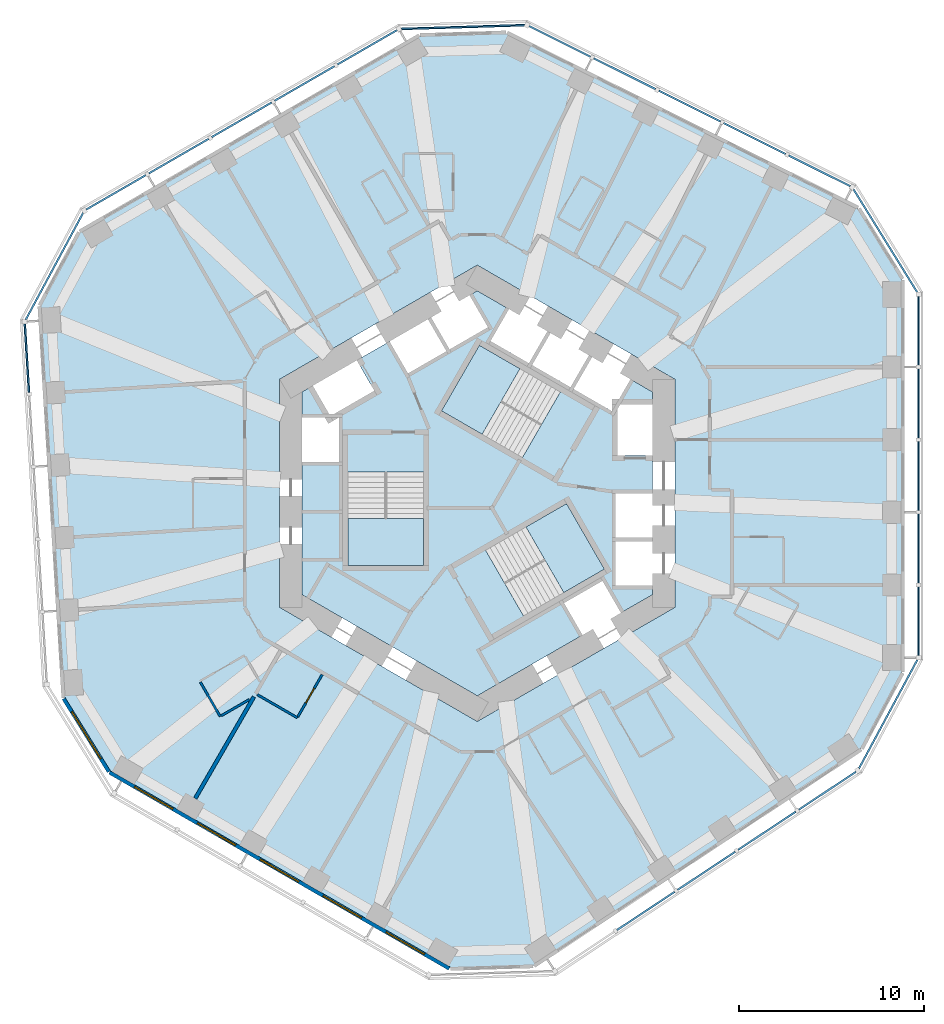
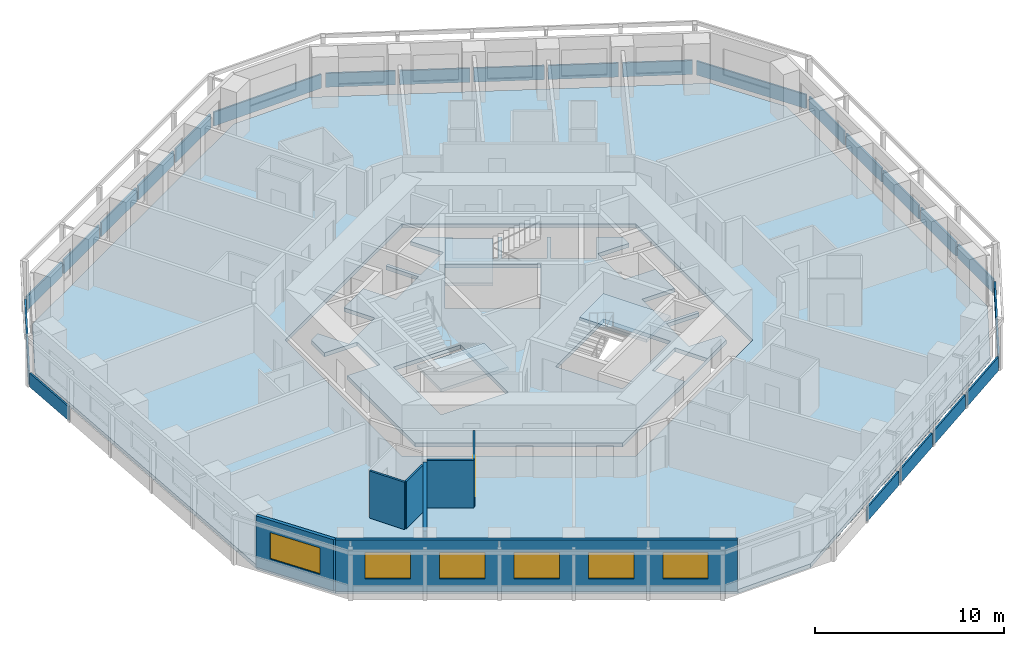
# One storey, part 3 of 12: 24 plates, 7 walls, 6 windows, 5 slabs, 1 door, 7 openings, 12 elements without a shape of their own.
"""IFC4 building model written with IfcOpenShell, lengths in metres."""

from ifc_helpers import new_model, si_unit, direction, frame, frame_2d, origin, origin_2d, place, context, subcontext, project, spatial, polyline, rectangle, outline, extrude, material, layer, layer_set, type_object, element, fill, aggregate, save


model = new_model("IFC4")

# Units and contexts
model_context = context("Model", 3, precision=1e-05, world=origin(), true_north=direction((0.0, 1.0)))
body_context = subcontext(model_context, "Body", "Model", "MODEL_VIEW")
ifc_project = project(units=[si_unit("LENGTHUNIT", "METRE"), si_unit("AREAUNIT", "SQUARE_METRE"), si_unit("VOLUMEUNIT", "CUBIC_METRE"), si_unit("PLANEANGLEUNIT", "RADIAN"), si_unit("MASSUNIT", "GRAM", prefix="KILO")], contexts=[model_context])

# Site, building, storey
site_placement = place(None, origin())
site = spatial("IfcSite", under=ifc_project, at=site_placement, CompositionType="ELEMENT")
building_placement = place(site_placement, origin())
building = spatial("IfcBuilding", under=site, at=building_placement, Name="Vanh Sen Convention Tower", CompositionType="ELEMENT")
storey_placement = place(building_placement, frame((0.0, 0.0, 70.39990234375)))
storey = spatial("IfcBuildingStorey", under=building, at=storey_placement, Name="L15", CompositionType="ELEMENT", Elevation=70.39990234375)

# Slabs
ifc_material_1 = material(Name="Concrete C40/50", Category="concrete")
ifc_layer_1 = layer(ifc_material_1, 0.25)
ifc_layer_set_1 = layer_set([ifc_layer_1], Name="Concrete C40/50")
slab_type_1 = type_object("IfcSlabType", Name="Core slab 250", PredefinedType="FLOOR", material=ifc_layer_set_1)
slab_1_placement = place(storey_placement, frame((0.0, 0.0, -0.25)))
element("IfcSlab", 1, at=slab_1_placement, inside=storey, type_object=slab_type_1, Name="Core slab L15", PredefinedType="FLOOR", context=body_context, shape_type="SweptSolid", body=[
    extrude(outline(polyline([(9.5, 5.48486328125), (9.5, 4.800048828125), (7.60009765625, 4.800048828125), (7.60009765625, 2.050048828125), (9.5, 2.050048828125), (9.5, 0.0), (7.5, 0.0), (7.5, -2.39990234375), (9.5, -2.39990234375), (9.5, -2.60009765625), (7.5, -2.60009765625), (7.5, -5.0), (9.5, -5.0), (9.5, -5.48486328125), (0.0, -10.9697265625), (-9.5, -5.48486328125), (-9.5, 1.699951171875), (-7.5, 1.699951171875), (-7.5, 4.10009765625), (-9.5, 4.10009765625), (-9.5, 5.48486328125), (-8.906982421875, 5.8271484375), (-7.956787109375, 4.181884765625), (-5.575439453125, 5.556884765625), (-6.525390625, 7.2021484375), (-4.75, 8.227294921875), (-3.75, 6.4951171875), (-1.67138671875, 7.6953125), (-2.67138671875, 9.42724609375), (-2.498291015625, 9.527099609375), (-1.498291015625, 7.795166015625), (0.580078125, 8.9951171875), (-0.419921875, 10.727294921875), (0.0, 10.9697265625), (1.718994140625, 9.977294921875), (0.718994140625, 8.2451171875), (2.79736328125, 7.045166015625), (3.79736328125, 8.777099609375), (3.970703125, 8.67724609375), (2.970703125, 6.9453125), (5.049072265625, 5.7451171875), (6.049072265625, 7.477294921875), (6.22216796875, 7.377197265625), (5.22216796875, 5.645263671875), (7.30078125, 4.4453125), (8.30078125, 6.17724609375), (9.5, 5.48486328125)]), holes=[polyline([(-7.0, 3.14990234375), (-7.0, -3.909912109375), (-2.89990234375, -3.909912109375), (-2.89990234375, 3.14990234375), (-2.89990234375, 1.1494140625), (-7.0, 1.1494140625), (-7.0, 3.14990234375)]), polyline([(4.495361328125, 5.487548828125), (6.22802734375, 4.4873046875), (0.11376953125, 8.01708984375), (-1.936279296875, 4.466552734375), (2.4453125, 1.936767578125), (4.495361328125, 5.487548828125)]), polyline([(7.781005859375, -6.477294921875), (6.781005859375, -4.7451171875), (4.70263671875, -5.9453125), (5.70263671875, -7.67724609375), (7.781005859375, -6.477294921875)]), polyline([(0.45458984375, -3.086181640625), (2.504638671875, -6.63671875), (6.88623046875, -4.107177734375), (4.836181640625, -0.556396484375), (-1.278076171875, -4.08642578125), (0.45458984375, -3.086181640625)])]), origin(), (0.0, 0.0, 1.0), 0.25),
])
ifc_layer_2 = layer(ifc_material_1, 0.25)
ifc_layer_set_2 = layer_set([ifc_layer_2], Name="Concrete C40/50")
slab_type_2 = type_object("IfcSlabType", Name="Floor slab 250 REI 120", PredefinedType="FLOOR", material=ifc_layer_set_2)
slab_2_placement = place(storey_placement, frame((0.0, 0.0, -0.25)))
element("IfcSlab", 2, at=slab_2_placement, inside=storey, type_object=slab_type_2, Name="Floor slab L15 tower", PredefinedType="FLOOR", context=body_context, shape_type="SweptSolid", body=[
    extrude(outline(polyline([(23.0, -9.69921875), (23.0, 11.57373046875), (20.620361328125, 15.419189453125), (1.58251953125, 24.911376953125), (-3.10009765625, 24.768310546875), (-21.523193359375, 14.131591796875), (-23.663818359375, 10.14794921875), (-22.364990234375, -11.085205078125), (-19.89990234375, -15.069091796875), (-1.476806640625, -25.705322265625), (3.04345703125, -25.5673828125), (20.78271484375, -13.825927734375), (23.0, -9.69921875)]), holes=[polyline([(0.0, 12.355224609375), (-10.699951171875, 6.177490234375), (-10.699951171875, -6.177490234375), (0.0, -12.355224609375), (10.699951171875, -6.177490234375), (10.699951171875, 6.177490234375), (0.0, 12.355224609375)])]), origin(), (0.0, 0.0, 1.0), 0.25),
])

# Curtain wall, plates
ifc_material_2 = material(Name="Concrete C50/60", Category="concrete")
curtain_wall_type = type_object("IfcCurtainWallType", Name="Outer skin hotel zone", PredefinedType="NOTDEFINED", material=ifc_material_2)
curtain_wall_1_placement = place(storey_placement, origin())
curtain_wall_1 = element("IfcCurtainWall", 3, at=curtain_wall_1_placement, inside=storey, type_object=curtain_wall_type, Name="OUTER SKIN E L15", PredefinedType="NOTDEFINED")
ifc_layer_3 = layer(ifc_material_2, 0.10009765625)
ifc_layer_set_3 = layer_set([ifc_layer_3], Name="Concrete C50/60")
plate_type = type_object("IfcPlateType", Name="Outer skin precast screen panel 100", PredefinedType="CURTAIN_PANEL", material=ifc_layer_set_3)
plate_1_placement = place(storey_placement, frame((23.89990234375, -6.91943359375, 0.000244140625), z_axis=(0.0, 0.0, 1.0), x_axis=(0.0, 1.0, 0.0)))
plate_1 = element("IfcPlate", 4, at=plate_1_placement, type_object=plate_type, Name="OUTER SKIN screen panel E-1", PredefinedType="CURTAIN_PANEL", context=body_context, shape_type="SweptSolid", body=[
    extrude(rectangle(XDim=3.709716796875, YDim=0.10009765625, at=origin_2d()), origin(), (0.0, 0.0, 1.0), 0.89990234375),
])
plate_2_placement = place(storey_placement, frame((23.89990234375, -2.997314453125, 0.000244140625), z_axis=(0.0, 0.0, 1.0), x_axis=(0.0, 1.0, 0.0)))
plate_2 = element("IfcPlate", 5, at=plate_2_placement, type_object=plate_type, Name="OUTER SKIN screen panel E-2", PredefinedType="CURTAIN_PANEL", context=body_context, shape_type="SweptSolid", body=[
    extrude(rectangle(XDim=3.734619140625, YDim=0.10009765625, at=origin_2d()), origin(), (0.0, 0.0, 1.0), 0.89990234375),
])
plate_3_placement = place(storey_placement, frame((23.89990234375, 0.937255859375, 0.000244140625), z_axis=(0.0, 0.0, 1.0), x_axis=(0.0, 1.0, 0.0)))
plate_3 = element("IfcPlate", 6, at=plate_3_placement, type_object=plate_type, Name="OUTER SKIN screen panel E-3", PredefinedType="CURTAIN_PANEL", context=body_context, shape_type="SweptSolid", body=[
    extrude(rectangle(XDim=3.734619140625, YDim=0.10009765625, at=origin_2d()), origin(), (0.0, 0.0, 1.0), 0.89990234375),
])
plate_4_placement = place(storey_placement, frame((23.89990234375, 4.871826171875, 0.000244140625), z_axis=(0.0, 0.0, 1.0), x_axis=(0.0, 1.0, 0.0)))
plate_4 = element("IfcPlate", 7, at=plate_4_placement, type_object=plate_type, Name="OUTER SKIN screen panel E-4", PredefinedType="CURTAIN_PANEL", context=body_context, shape_type="SweptSolid", body=[
    extrude(rectangle(XDim=3.734619140625, YDim=0.10009765625, at=origin_2d()), origin(), (0.0, 0.0, 1.0), 0.89990234375),
])
plate_5_placement = place(storey_placement, frame((23.89990234375, 8.7939453125, 0.000244140625), z_axis=(0.0, 0.0, 1.0), x_axis=(0.0, 1.0, 0.0)))
plate_5 = element("IfcPlate", 8, at=plate_5_placement, type_object=plate_type, Name="OUTER SKIN screen panel E-5", PredefinedType="CURTAIN_PANEL", context=body_context, shape_type="SweptSolid", body=[
    extrude(rectangle(XDim=3.709716796875, YDim=0.10009765625, at=origin_2d()), origin(), (0.0, 0.0, 1.0), 0.89990234375),
])
aggregate(curtain_wall_1, [plate_1, plate_2, plate_3, plate_4, plate_5])

# Curtain wall, plate
curtain_wall_2_placement = place(storey_placement, origin())
curtain_wall_2 = element("IfcCurtainWall", 9, at=curtain_wall_2_placement, inside=storey, type_object=curtain_wall_type, Name="OUTER SKIN CH1 L15", PredefinedType="NOTDEFINED")
plate_6_placement = place(storey_placement, frame((22.102783203125, 13.677734375, 0.000244140625), z_axis=(0.0, 0.0, 1.0), x_axis=(-0.526212439506, 0.850353143411, 0.0)))
plate_6 = element("IfcPlate", 10, at=plate_6_placement, type_object=plate_type, Name="OUTER SKIN screen panel CH1-1", PredefinedType="CURTAIN_PANEL", context=body_context, shape_type="SweptSolid", body=[
    extrude(rectangle(XDim=6.580078125, YDim=0.10009765625, at=origin_2d()), origin(), (0.0, 0.0, 1.0), 0.89990234375),
])
aggregate(curtain_wall_2, [plate_6])

# Curtain wall, plates
curtain_wall_3_placement = place(storey_placement, origin())
curtain_wall_3 = element("IfcCurtainWall", 11, at=curtain_wall_3_placement, inside=storey, type_object=curtain_wall_type, Name="OUTER SKIN NE L15", PredefinedType="NOTDEFINED")
plate_7_placement = place(storey_placement, frame((18.5341796875, 17.465087890625, 0.000244140625), z_axis=(0.0, 0.0, 1.0), x_axis=(-0.894935140363, 0.446196251154, 0.0)))
plate_7 = element("IfcPlate", 12, at=plate_7_placement, type_object=plate_type, Name="OUTER SKIN screen panel NE-1", PredefinedType="CURTAIN_PANEL", context=body_context, shape_type="SweptSolid", body=[
    extrude(rectangle(XDim=3.709716796875, YDim=0.10009765625, at=origin_2d()), origin(), (0.0, 0.0, 1.0), 0.89990234375),
])
plate_8_placement = place(storey_placement, frame((15.024169921875, 19.215087890625, 0.000244140625), z_axis=(0.0, 0.0, 1.0), x_axis=(-0.894935140363, 0.446196251154, 0.0)))
plate_8 = element("IfcPlate", 13, at=plate_8_placement, type_object=plate_type, Name="OUTER SKIN screen panel NE-2", PredefinedType="CURTAIN_PANEL", context=body_context, shape_type="SweptSolid", body=[
    extrude(rectangle(XDim=3.734619140625, YDim=0.10009765625, at=origin_2d()), origin(), (0.0, 0.0, 1.0), 0.89990234375),
])
plate_9_placement = place(storey_placement, frame((11.5029296875, 20.970703125, 0.000244140625), z_axis=(0.0, 0.0, 1.0), x_axis=(-0.894935140363, 0.446196251154, 0.0)))
plate_9 = element("IfcPlate", 14, at=plate_9_placement, type_object=plate_type, Name="OUTER SKIN screen panel NE-3", PredefinedType="CURTAIN_PANEL", context=body_context, shape_type="SweptSolid", body=[
    extrude(rectangle(XDim=3.734619140625, YDim=0.10009765625, at=origin_2d()), origin(), (0.0, 0.0, 1.0), 0.89990234375),
])
plate_10_placement = place(storey_placement, frame((7.981689453125, 22.726318359375, 0.000244140625), z_axis=(0.0, 0.0, 1.0), x_axis=(-0.894935140363, 0.446196251154, 0.0)))
plate_10 = element("IfcPlate", 15, at=plate_10_placement, type_object=plate_type, Name="OUTER SKIN screen panel NE-4", PredefinedType="CURTAIN_PANEL", context=body_context, shape_type="SweptSolid", body=[
    extrude(rectangle(XDim=3.734619140625, YDim=0.10009765625, at=origin_2d()), origin(), (0.0, 0.0, 1.0), 0.89990234375),
])
plate_11_placement = place(storey_placement, frame((4.4716796875, 24.476318359375, 0.000244140625), z_axis=(0.0, 0.0, 1.0), x_axis=(-0.894935140363, 0.446196251154, 0.0)))
plate_11 = element("IfcPlate", 16, at=plate_11_placement, type_object=plate_type, Name="OUTER SKIN screen panel NE-5", PredefinedType="CURTAIN_PANEL", context=body_context, shape_type="SweptSolid", body=[
    extrude(rectangle(XDim=3.709716796875, YDim=0.10009765625, at=origin_2d()), origin(), (0.0, 0.0, 1.0), 0.89990234375),
])
aggregate(curtain_wall_3, [plate_7, plate_8, plate_9, plate_10, plate_11])

# Curtain wall, plate
curtain_wall_4_placement = place(storey_placement, origin())
curtain_wall_4 = element("IfcCurtainWall", 17, at=curtain_wall_4_placement, inside=storey, type_object=curtain_wall_type, Name="OUTER SKIN CH2 L15", PredefinedType="NOTDEFINED")
plate_12_placement = place(storey_placement, frame((-0.771484375, 25.253662109375, 0.000244140625), z_axis=(0.0, 0.0, 1.0), x_axis=(-0.999533644135, -0.030536768695, 0.0)))
plate_12 = element("IfcPlate", 18, at=plate_12_placement, type_object=plate_type, Name="OUTER SKIN screen panel CH2-1", PredefinedType="CURTAIN_PANEL", context=body_context, shape_type="SweptSolid", body=[
    extrude(rectangle(XDim=6.696044921875, YDim=0.10009765625, at=origin_2d()), origin(), (0.0, 0.0, 1.0), 0.89990234375),
])
aggregate(curtain_wall_4, [plate_12])

# Curtain wall, plates
curtain_wall_5_placement = place(storey_placement, origin())
curtain_wall_5 = element("IfcCurtainWall", 19, at=curtain_wall_5_placement, inside=storey, type_object=curtain_wall_type, Name="OUTER SKIN NW L15", PredefinedType="NOTDEFINED")
plate_13_placement = place(storey_placement, frame((-5.95751953125, 24.15771484375, 0.000244140625), z_axis=(0.0, 0.0, 1.0), x_axis=(-0.866028021766, -0.499995465495, 0.0)))
plate_13 = element("IfcPlate", 20, at=plate_13_placement, type_object=plate_type, Name="OUTER SKIN screen panel NW-1", PredefinedType="CURTAIN_PANEL", context=body_context, shape_type="SweptSolid", body=[
    extrude(rectangle(XDim=3.709716796875, YDim=0.10009765625, at=origin_2d()), origin(), (0.0, 0.0, 1.0), 0.89990234375),
])
plate_14_placement = place(storey_placement, frame((-9.354248046875, 22.19677734375, 0.000244140625), z_axis=(0.0, 0.0, 1.0), x_axis=(-0.866021040428, -0.500007557478, 0.0)))
plate_14 = element("IfcPlate", 21, at=plate_14_placement, type_object=plate_type, Name="OUTER SKIN screen panel NW-2", PredefinedType="CURTAIN_PANEL", context=body_context, shape_type="SweptSolid", body=[
    extrude(rectangle(XDim=3.734619140625, YDim=0.10009765625, at=origin_2d()), origin(), (0.0, 0.0, 1.0), 0.89990234375),
])
plate_15_placement = place(storey_placement, frame((-12.76171875, 20.2294921875, 0.000244140625), z_axis=(0.0, 0.0, 1.0), x_axis=(-0.866028021766, -0.499995465495, 0.0)))
plate_15 = element("IfcPlate", 22, at=plate_15_placement, type_object=plate_type, Name="OUTER SKIN screen panel NW-3", PredefinedType="CURTAIN_PANEL", context=body_context, shape_type="SweptSolid", body=[
    extrude(rectangle(XDim=3.734619140625, YDim=0.10009765625, at=origin_2d()), origin(), (0.0, 0.0, 1.0), 0.89990234375),
])
plate_16_placement = place(storey_placement, frame((-16.169189453125, 18.26220703125, 0.000244140625), z_axis=(0.0, 0.0, 1.0), x_axis=(-0.866028021766, -0.499995465495, 0.0)))
plate_16 = element("IfcPlate", 23, at=plate_16_placement, type_object=plate_type, Name="OUTER SKIN screen panel NW-4", PredefinedType="CURTAIN_PANEL", context=body_context, shape_type="SweptSolid", body=[
    extrude(rectangle(XDim=3.734619140625, YDim=0.10009765625, at=origin_2d()), origin(), (0.0, 0.0, 1.0), 0.89990234375),
])
plate_17_placement = place(storey_placement, frame((-19.56591796875, 16.301025390625, 0.000244140625), z_axis=(0.0, 0.0, 1.0), x_axis=(-0.866021040428, -0.500007557478, 0.0)))
plate_17 = element("IfcPlate", 24, at=plate_17_placement, type_object=plate_type, Name="OUTER SKIN screen panel NW-5", PredefinedType="CURTAIN_PANEL", context=body_context, shape_type="SweptSolid", body=[
    extrude(rectangle(XDim=3.70947265625, YDim=0.10009765625, at=origin_2d()), origin(), (0.0, 0.0, 1.0), 0.89990234375),
])
aggregate(curtain_wall_5, [plate_13, plate_14, plate_15, plate_16, plate_17])

# Curtain wall, plate
curtain_wall_6_placement = place(storey_placement, origin())
curtain_wall_6 = element("IfcCurtainWall", 25, at=curtain_wall_6_placement, inside=storey, type_object=curtain_wall_type, Name="OUTER SKIN CH3 L15", PredefinedType="NOTDEFINED")
plate_18_placement = place(storey_placement, frame((-22.896728515625, 12.302978515625, 0.000244140625), z_axis=(0.0, 0.0, 1.0), x_axis=(-0.47331812974, -0.880891564303, 0.0)))
plate_18 = element("IfcPlate", 26, at=plate_18_placement, type_object=plate_type, Name="OUTER SKIN screen panel CH3-1", PredefinedType="CURTAIN_PANEL", context=body_context, shape_type="SweptSolid", body=[
    extrude(rectangle(XDim=6.580078125, YDim=0.10009765625, at=origin_2d()), origin(), (0.0, 0.0, 1.0), 0.89990234375),
])
aggregate(curtain_wall_6, [plate_18])

curtain_wall_7_placement = place(storey_placement, origin())
curtain_wall_7 = element("IfcCurtainWall", 27, at=curtain_wall_7_placement, inside=storey, type_object=curtain_wall_type, Name="OUTER SKIN W L15", PredefinedType="NOTDEFINED")
plate_19_placement = place(storey_placement, frame((-24.39208984375, 7.318603515625, 0.000244140625), z_axis=(0.0, 0.0, 1.0), x_axis=(0.061046797461, -0.99813490497, 0.0)))
plate_19 = element("IfcPlate", 28, at=plate_19_placement, type_object=plate_type, Name="OUTER SKIN screen panel W-1", PredefinedType="CURTAIN_PANEL", context=body_context, shape_type="SweptSolid", body=[
    extrude(rectangle(XDim=3.709716796875, YDim=0.10009765625, at=origin_2d()), origin(), (0.0, 0.0, 1.0), 0.89990234375),
])
aggregate(curtain_wall_7, [plate_19])

# Curtain wall, plates
curtain_wall_8_placement = place(storey_placement, origin())
curtain_wall_8 = element("IfcCurtainWall", 29, at=curtain_wall_8_placement, inside=storey, type_object=curtain_wall_type, Name="OUTER SKIN SE L15", PredefinedType="NOTDEFINED")
plate_20_placement = place(storey_placement, frame((9.128662109375, -22.618896484375, 0.000244140625), z_axis=(0.0, 0.0, 1.0), x_axis=(0.833891601892, 0.55192825285, 0.0)))
plate_20 = element("IfcPlate", 30, at=plate_20_placement, type_object=plate_type, Name="OUTER SKIN screen panel SE-2", PredefinedType="CURTAIN_PANEL", context=body_context, shape_type="SweptSolid", body=[
    extrude(rectangle(XDim=3.734619140625, YDim=0.10009765625, at=origin_2d()), origin(), (0.0, 0.0, 1.0), 0.89990234375),
])
plate_21_placement = place(storey_placement, frame((12.40966796875, -20.447265625, 0.000244140625), z_axis=(0.0, 0.0, 1.0), x_axis=(0.833880042151, 0.551945717714, 0.0)))
plate_21 = element("IfcPlate", 31, at=plate_21_placement, type_object=plate_type, Name="OUTER SKIN screen panel SE-3", PredefinedType="CURTAIN_PANEL", context=body_context, shape_type="SweptSolid", body=[
    extrude(rectangle(XDim=3.734619140625, YDim=0.10009765625, at=origin_2d()), origin(), (0.0, 0.0, 1.0), 0.89990234375),
])
plate_22_placement = place(storey_placement, frame((15.690673828125, -18.275390625, 0.000244140625), z_axis=(0.0, 0.0, 1.0), x_axis=(0.833891601892, 0.55192825285, 0.0)))
plate_22 = element("IfcPlate", 32, at=plate_22_placement, type_object=plate_type, Name="OUTER SKIN screen panel SE-4", PredefinedType="CURTAIN_PANEL", context=body_context, shape_type="SweptSolid", body=[
    extrude(rectangle(XDim=3.734619140625, YDim=0.10009765625, at=origin_2d()), origin(), (0.0, 0.0, 1.0), 0.89990234375),
])
plate_23_placement = place(storey_placement, frame((18.961181640625, -16.11083984375, 0.000244140625), z_axis=(0.0, 0.0, 1.0), x_axis=(0.833880042151, 0.551945717714, 0.0)))
plate_23 = element("IfcPlate", 33, at=plate_23_placement, type_object=plate_type, Name="OUTER SKIN screen panel SE-5", PredefinedType="CURTAIN_PANEL", context=body_context, shape_type="SweptSolid", body=[
    extrude(rectangle(XDim=3.709716796875, YDim=0.10009765625, at=origin_2d()), origin(), (0.0, 0.0, 1.0), 0.89990234375),
])
aggregate(curtain_wall_8, [plate_20, plate_21, plate_22, plate_23])

# Curtain wall, plate
curtain_wall_9_placement = place(storey_placement, origin())
curtain_wall_9 = element("IfcCurtainWall", 34, at=curtain_wall_9_placement, inside=storey, type_object=curtain_wall_type, Name="OUTER SKIN CH6 L15", PredefinedType="NOTDEFINED")
plate_24_placement = place(storey_placement, frame((22.256103515625, -11.95849609375, 0.000244140625), z_axis=(0.0, 0.0, 1.0), x_axis=(0.473322742071, 0.880889086003, 0.0)))
plate_24 = element("IfcPlate", 35, at=plate_24_placement, type_object=plate_type, Name="OUTER SKIN screen panel CH6-1", PredefinedType="CURTAIN_PANEL", context=body_context, shape_type="SweptSolid", body=[
    extrude(rectangle(XDim=6.6962890625, YDim=0.10009765625, at=origin_2d()), origin(), (0.0, 0.0, 1.0), 0.89990234375),
])
aggregate(curtain_wall_9, [plate_24])

# Stair, slab
ifc_material_3 = material(Name="Concrete C50/60", Category="concrete")
stair_type_1 = type_object("IfcStairType", Name="Exit stair ST1 20 risers at 165.0", PredefinedType="HALF_TURN_STAIR", material=ifc_material_3)
stair_1_placement = place(storey_placement, origin())
stair_1 = element("IfcStair", 36, at=stair_1_placement, inside=storey, type_object=stair_type_1, Name="Exit stair ST1 L15", PredefinedType="HALF_TURN_STAIR")
ifc_layer_4 = layer(ifc_material_1, 0.199951171875)
ifc_layer_set_4 = layer_set([ifc_layer_4], Name="Concrete C40/50")
slab_type_3 = type_object("IfcSlabType", Name="Stair landing 200", PredefinedType="LANDING", material=ifc_layer_set_4)
slab_3_placement = place(storey_placement, frame((0.0, 0.0, 1.4501953125)))
slab_3 = element("IfcSlab", 37, at=slab_3_placement, type_object=slab_type_3, Name="ST1 landing 1", PredefinedType="LANDING", context=body_context, shape_type="SweptSolid", body=[
    extrude(outline(polyline([(2.314208984375, 6.746826171875), (0.11376953125, 8.01708984375), (-1.936279296875, 4.466552734375), (0.26416015625, 3.196044921875), (2.314208984375, 6.746826171875)])), origin(), (0.0, 0.0, 1.0), 0.199951171875),
])
aggregate(stair_1, [slab_3])

stair_type_2 = type_object("IfcStairType", Name="Exit stair ST2 20 risers at 165.0", PredefinedType="HALF_TURN_STAIR", material=ifc_material_3)
stair_2_placement = place(storey_placement, origin())
stair_2 = element("IfcStair", 38, at=stair_2_placement, inside=storey, type_object=stair_type_2, Name="Exit stair ST2 L15", PredefinedType="HALF_TURN_STAIR")
slab_4_placement = place(storey_placement, frame((0.0, 0.0, 1.4501953125)))
slab_4 = element("IfcSlab", 39, at=slab_4_placement, type_object=slab_type_3, Name="ST2 landing 1", PredefinedType="LANDING", context=body_context, shape_type="SweptSolid", body=[
    extrude(outline(polyline([(-7.0, -1.369384765625), (-7.0, -3.909912109375), (-2.89990234375, -3.909912109375), (-2.89990234375, -1.369384765625), (-7.0, -1.369384765625)])), origin(), (0.0, 0.0, 1.0), 0.199951171875),
])
aggregate(stair_2, [slab_4])

stair_type_3 = type_object("IfcStairType", Name="Exit stair ST3 20 risers at 165.0", PredefinedType="HALF_TURN_STAIR", material=ifc_material_3)
stair_3_placement = place(storey_placement, origin())
stair_3 = element("IfcStair", 40, at=stair_3_placement, inside=storey, type_object=stair_type_3, Name="Exit stair ST3 L15", PredefinedType="HALF_TURN_STAIR")
slab_5_placement = place(storey_placement, frame((0.0, 0.0, 1.4501953125)))
slab_5 = element("IfcSlab", 41, at=slab_5_placement, type_object=slab_type_3, Name="ST3 landing 1", PredefinedType="LANDING", context=body_context, shape_type="SweptSolid", body=[
    extrude(outline(polyline([(4.685791015625, -5.37744140625), (6.88623046875, -4.107177734375), (4.836181640625, -0.556396484375), (2.6357421875, -1.826904296875), (4.685791015625, -5.37744140625)])), origin(), (0.0, 0.0, 1.0), 0.199951171875),
])
aggregate(stair_3, [slab_5])

# Walls
ifc_material_4 = material(Name="Moisture-resistant gypsum board on steel studs", Category="steel")
ifc_layer_5 = layer(ifc_material_4, 0.1201171875)
ifc_layer_set_5 = layer_set([ifc_layer_5], Name="Moisture-resistant gypsum board on steel studs")
wall_type_1 = type_object("IfcWallType", Name="Bathroom partition 120", PredefinedType="PARTITIONING", material=ifc_layer_set_5)
wall_1_placement = place(storey_placement, frame((-13.92578125, -12.081298828125, 0.0), z_axis=(0.0, 0.0, 1.0), x_axis=(-0.499992422807, 0.866029778435, 0.0)))
element("IfcWall", 42, at=wall_1_placement, inside=storey, type_object=wall_type_1, Name="Bathroom partition 120", PredefinedType="PARTITIONING", context=body_context, shape_type="SweptSolid", body=[
    extrude(rectangle(XDim=2.1396484375, YDim=0.1201171875, at=frame_2d((1.06982421875, 0.0))), origin(), (0.0, 0.0, 1.0), 3.050048828125),
])
wall_2_placement = place(storey_placement, frame((-12.341552734375, -11.166748046875, 0.0), z_axis=(0.0, 0.0, 1.0), x_axis=(-0.865992557167, -0.500056887695, 0.0)))
element("IfcWall", 43, at=wall_2_placement, inside=storey, type_object=wall_type_1, Name="Bathroom partition 120", PredefinedType="PARTITIONING", context=body_context, shape_type="SweptSolid", body=[
    extrude(rectangle(XDim=1.769287109375, YDim=0.1201171875, at=frame_2d((0.884765625, 0.0))), origin(), (0.0, 0.0, 1.0), 3.050048828125),
])
wall_3_placement = place(storey_placement, frame((-9.747802734375, -12.154541015625, 0.0), z_axis=(0.0, 0.0, 1.0), x_axis=(-0.866022959057, 0.500004234368, 0.0)))
element("IfcWall", 44, at=wall_3_placement, inside=storey, type_object=wall_type_1, Name="Bathroom partition 120", PredefinedType="PARTITIONING", context=body_context, shape_type="SweptSolid", body=[
    extrude(rectangle(XDim=2.5, YDim=0.1201171875, at=frame_2d((1.25, 0.0))), origin(), (0.0, 0.0, 1.0), 3.050048828125),
])

# Wall, opening, door
wall_4_placement = place(storey_placement, frame((-8.397705078125, -9.816162109375, 0.0), z_axis=(0.0, 0.0, 1.0), x_axis=(-0.500007957085, -0.86602080971, 0.0)))
wall_4 = element("IfcWall", 45, at=wall_4_placement, inside=storey, type_object=wall_type_1, Name="Bathroom partition 120", PredefinedType="PARTITIONING", context=body_context, shape_type="SweptSolid", body=[
    extrude(rectangle(XDim=2.64013671875, YDim=0.1201171875, at=frame_2d((1.320068359375, 0.0))), origin(), (0.0, 0.0, 1.0), 3.050048828125),
])
opening_1_placement = place(wall_4_placement, frame((0.8701171875, 0.0, 0.0)))
opening_1 = element("IfcOpeningElement", 46, at=opening_1_placement, cuts=wall_4, Name="Opening D13125", PredefinedType="OPENING", context=body_context, shape_type="SweptSolid", body=[
    extrude(rectangle(XDim=0.89990234375, YDim=2.10009765625, at=frame_2d((0.449951171875, 1.050048828125))), frame((0.0, 0.070068359375, 0.0), z_axis=(0.0, -1.0, 0.0), x_axis=(1.0, 0.0, 0.0)), (0.0, 0.0, 1.0), 0.14013671875),
])
ifc_material_5 = material(Name="Laminate door in steel frame", Category="steel")
door_type = type_object("IfcDoorType", Name="En-suite door 900", OperationType="SINGLE_SWING_LEFT", PredefinedType="DOOR", material=ifc_material_5)
door_placement = place(opening_1_placement, origin())
door = element("IfcDoor", 47, at=door_placement, inside=storey, type_object=door_type, Name="En-suite door D13125", OperationType="SINGLE_SWING_LEFT", OverallHeight=2.10009765625, OverallWidth=0.89990234375, PredefinedType="DOOR", context=body_context, shape_type="SweptSolid", body=[
    extrude(rectangle(XDim=0.89990234375, YDim=2.10009765625, at=frame_2d((0.449951171875, 1.050048828125))), frame((0.0, 0.02490234375, 0.0), z_axis=(0.0, -1.0, 0.0), x_axis=(1.0, 0.0, 0.0)), (0.0, 0.0, 1.0), 0.050048828125),
])
fill(opening_1, door)

# Wall, opening, window
ifc_material_6 = material(Name="Insulated lightweight infill wall")
ifc_layer_6 = layer(ifc_material_6, 0.199951171875)
ifc_layer_set_6 = layer_set([ifc_layer_6], Name="Insulated lightweight infill wall")
wall_type_2 = type_object("IfcWallType", Name="External wall 200", PredefinedType="STANDARD", material=ifc_layer_set_6)
wall_5_placement = place(storey_placement, frame((-22.40087890625, -11.122314453125, 0.0), z_axis=(0.0, 0.0, 1.0), x_axis=(0.526197679914, -0.850362276711, 0.0)))
wall_5 = element("IfcWall", 48, at=wall_5_placement, inside=storey, type_object=wall_type_2, Name="External wall CH4 L15", PredefinedType="STANDARD", context=body_context, shape_type="SweptSolid", body=[
    extrude(rectangle(XDim=4.65966796875, YDim=0.199951171875, at=frame_2d((2.329833984375, 0.0))), origin(), (0.0, 0.0, 1.0), 3.300048828125),
])
opening_2_placement = place(wall_5_placement, frame((0.829833984375, 0.0, 0.800048828125)))
opening_2 = element("IfcOpeningElement", 49, at=opening_2_placement, cuts=wall_5, Name="Opening WH2-CH41", PredefinedType="OPENING", context=body_context, shape_type="SweptSolid", body=[
    extrude(rectangle(XDim=3.0, YDim=1.699951171875, at=frame_2d((1.5, 0.85009765625))), frame((0.0, 0.10986328125, 0.0), z_axis=(0.0, -1.0, 0.0), x_axis=(1.0, 0.0, 0.0)), (0.0, 0.0, 1.0), 0.219970703125),
])
ifc_material_7 = material(Name="Aluminium frame with clear low-emissivity glass", Category="aluminium")
window_type_1 = type_object("IfcWindowType", Name="Hotel window 3000 x 1700", PartitioningType="SINGLE_PANEL", PredefinedType="WINDOW", material=ifc_material_7)
window_1_placement = place(opening_2_placement, origin())
window_1 = element("IfcWindow", 50, at=window_1_placement, inside=storey, type_object=window_type_1, Name="Window WH2-CH41", OverallHeight=1.699951171875, OverallWidth=3.0, PartitioningType="SINGLE_PANEL", PredefinedType="WINDOW", context=body_context, shape_type="SweptSolid", body=[
    extrude(rectangle(XDim=3.0, YDim=1.699951171875, at=frame_2d((1.5, 0.85009765625))), frame((0.0, 0.030029296875, 0.0), z_axis=(0.0, -1.0, 0.0), x_axis=(1.0, 0.0, 0.0)), (0.0, 0.0, 1.0), 0.06005859375),
])
fill(opening_2, window_1)

# Wall, openings, windows
wall_6_placement = place(storey_placement, frame((-19.913818359375, -15.11865234375, 0.0), z_axis=(0.0, 0.0, 1.0), x_axis=(0.866025418898, -0.499999973822, 0.0)))
wall_6 = element("IfcWall", 51, at=wall_6_placement, inside=storey, type_object=wall_type_2, Name="External wall SW L15", PredefinedType="STANDARD", context=body_context, shape_type="SweptSolid", body=[
    extrude(rectangle(XDim=21.24609375, YDim=0.199951171875, at=frame_2d((10.623046875, 0.0))), origin(), (0.0, 0.0, 1.0), 3.300048828125),
])
opening_3_placement = place(wall_6_placement, frame((1.5546875, 0.0, 0.800048828125)))
opening_3 = element("IfcOpeningElement", 52, at=opening_3_placement, cuts=wall_6, Name="Opening WH1-SW1", PredefinedType="OPENING", context=body_context, shape_type="SweptSolid", body=[
    extrude(rectangle(XDim=2.39990234375, YDim=1.699951171875, at=frame_2d((1.199951171875, 0.85009765625))), frame((0.0, 0.10986328125, 0.0), z_axis=(0.0, -1.0, 0.0), x_axis=(1.0, 0.0, 0.0)), (0.0, 0.0, 1.0), 0.219970703125),
])
opening_4_placement = place(wall_6_placement, frame((5.4892578125, 0.0, 0.800048828125)))
opening_4 = element("IfcOpeningElement", 53, at=opening_4_placement, cuts=wall_6, Name="Opening WH1-SW2", PredefinedType="OPENING", context=body_context, shape_type="SweptSolid", body=[
    extrude(rectangle(XDim=2.39990234375, YDim=1.699951171875, at=frame_2d((1.199951171875, 0.85009765625))), frame((0.0, 0.10986328125, 0.0), z_axis=(0.0, -1.0, 0.0), x_axis=(1.0, 0.0, 0.0)), (0.0, 0.0, 1.0), 0.219970703125),
])
opening_5_placement = place(wall_6_placement, frame((9.423828125, 0.0, 0.800048828125)))
opening_5 = element("IfcOpeningElement", 54, at=opening_5_placement, cuts=wall_6, Name="Opening WH1-SW3", PredefinedType="OPENING", context=body_context, shape_type="SweptSolid", body=[
    extrude(rectangle(XDim=2.39990234375, YDim=1.699951171875, at=frame_2d((1.199951171875, 0.85009765625))), frame((0.0, 0.10986328125, 0.0), z_axis=(0.0, -1.0, 0.0), x_axis=(1.0, 0.0, 0.0)), (0.0, 0.0, 1.0), 0.219970703125),
])
opening_6_placement = place(wall_6_placement, frame((13.3583984375, 0.0, 0.800048828125)))
opening_6 = element("IfcOpeningElement", 55, at=opening_6_placement, cuts=wall_6, Name="Opening WH1-SW4", PredefinedType="OPENING", context=body_context, shape_type="SweptSolid", body=[
    extrude(rectangle(XDim=2.39990234375, YDim=1.699951171875, at=frame_2d((1.199951171875, 0.85009765625))), frame((0.0, 0.10986328125, 0.0), z_axis=(0.0, -1.0, 0.0), x_axis=(1.0, 0.0, 0.0)), (0.0, 0.0, 1.0), 0.219970703125),
])
opening_7_placement = place(wall_6_placement, frame((17.293212890625, 0.0, 0.800048828125)))
opening_7 = element("IfcOpeningElement", 56, at=opening_7_placement, cuts=wall_6, Name="Opening WH1-SW5", PredefinedType="OPENING", context=body_context, shape_type="SweptSolid", body=[
    extrude(rectangle(XDim=2.39990234375, YDim=1.699951171875, at=frame_2d((1.199951171875, 0.85009765625))), frame((0.0, 0.10986328125, 0.0), z_axis=(0.0, -1.0, 0.0), x_axis=(1.0, 0.0, 0.0)), (0.0, 0.0, 1.0), 0.219970703125),
])
window_type_2 = type_object("IfcWindowType", Name="Hotel window 2400 x 1700", PartitioningType="SINGLE_PANEL", PredefinedType="WINDOW", material=ifc_material_7)
window_2_placement = place(opening_3_placement, origin())
window_2 = element("IfcWindow", 57, at=window_2_placement, inside=storey, type_object=window_type_2, Name="Window WH1-SW1", OverallHeight=1.699951171875, OverallWidth=2.39990234375, PartitioningType="SINGLE_PANEL", PredefinedType="WINDOW", context=body_context, shape_type="SweptSolid", body=[
    extrude(rectangle(XDim=2.39990234375, YDim=1.699951171875, at=frame_2d((1.199951171875, 0.85009765625))), frame((0.0, 0.030029296875, 0.0), z_axis=(0.0, -1.0, 0.0), x_axis=(1.0, 0.0, 0.0)), (0.0, 0.0, 1.0), 0.06005859375),
])
fill(opening_3, window_2)
window_3_placement = place(opening_4_placement, origin())
window_3 = element("IfcWindow", 58, at=window_3_placement, inside=storey, type_object=window_type_2, Name="Window WH1-SW2", OverallHeight=1.699951171875, OverallWidth=2.39990234375, PartitioningType="SINGLE_PANEL", PredefinedType="WINDOW", context=body_context, shape_type="SweptSolid", body=[
    extrude(rectangle(XDim=2.39990234375, YDim=1.699951171875, at=frame_2d((1.199951171875, 0.85009765625))), frame((0.0, 0.030029296875, 0.0), z_axis=(0.0, -1.0, 0.0), x_axis=(1.0, 0.0, 0.0)), (0.0, 0.0, 1.0), 0.06005859375),
])
fill(opening_4, window_3)
window_4_placement = place(opening_5_placement, origin())
window_4 = element("IfcWindow", 59, at=window_4_placement, inside=storey, type_object=window_type_2, Name="Window WH1-SW3", OverallHeight=1.699951171875, OverallWidth=2.39990234375, PartitioningType="SINGLE_PANEL", PredefinedType="WINDOW", context=body_context, shape_type="SweptSolid", body=[
    extrude(rectangle(XDim=2.39990234375, YDim=1.699951171875, at=frame_2d((1.199951171875, 0.85009765625))), frame((0.0, 0.030029296875, 0.0), z_axis=(0.0, -1.0, 0.0), x_axis=(1.0, 0.0, 0.0)), (0.0, 0.0, 1.0), 0.06005859375),
])
fill(opening_5, window_4)
window_5_placement = place(opening_6_placement, origin())
window_5 = element("IfcWindow", 60, at=window_5_placement, inside=storey, type_object=window_type_2, Name="Window WH1-SW4", OverallHeight=1.699951171875, OverallWidth=2.39990234375, PartitioningType="SINGLE_PANEL", PredefinedType="WINDOW", context=body_context, shape_type="SweptSolid", body=[
    extrude(rectangle(XDim=2.39990234375, YDim=1.699951171875, at=frame_2d((1.199951171875, 0.85009765625))), frame((0.0, 0.030029296875, 0.0), z_axis=(0.0, -1.0, 0.0), x_axis=(1.0, 0.0, 0.0)), (0.0, 0.0, 1.0), 0.06005859375),
])
fill(opening_6, window_5)
window_6_placement = place(opening_7_placement, origin())
window_6 = element("IfcWindow", 61, at=window_6_placement, inside=storey, type_object=window_type_2, Name="Window WH1-SW5", OverallHeight=1.699951171875, OverallWidth=2.39990234375, PartitioningType="SINGLE_PANEL", PredefinedType="WINDOW", context=body_context, shape_type="SweptSolid", body=[
    extrude(rectangle(XDim=2.39990234375, YDim=1.699951171875, at=frame_2d((1.199951171875, 0.85009765625))), frame((0.0, 0.030029296875, 0.0), z_axis=(0.0, -1.0, 0.0), x_axis=(1.0, 0.0, 0.0)), (0.0, 0.0, 1.0), 0.06005859375),
])
fill(opening_7, window_6)

# Wall
ifc_material_8 = material(Name="Gypsum board on steel studs with mineral wool", Category="steel")
ifc_layer_7 = layer(ifc_material_8, 0.199951171875)
ifc_layer_set_7 = layer_set([ifc_layer_7], Name="Gypsum board on steel studs with mineral wool")
wall_type_3 = type_object("IfcWallType", Name="Hotel party wall 200", PredefinedType="PARTITIONING", material=ifc_layer_set_7)
wall_7_placement = place(storey_placement, frame((-15.2744140625, -16.527099609375, 0.0), z_axis=(0.0, 0.0, 1.0), x_axis=(0.499995225238, 0.866028160477, 0.0)))
element("IfcWall", 62, at=wall_7_placement, inside=storey, type_object=wall_type_3, Name="Hotel party wall 200", PredefinedType="PARTITIONING", context=body_context, shape_type="SweptSolid", body=[
    extrude(rectangle(XDim=6.35302734375, YDim=0.199951171875, at=frame_2d((3.176513671875, 0.0))), origin(), (0.0, 0.0, 1.0), 3.050048828125),
])

save(model, "model.ifc")
